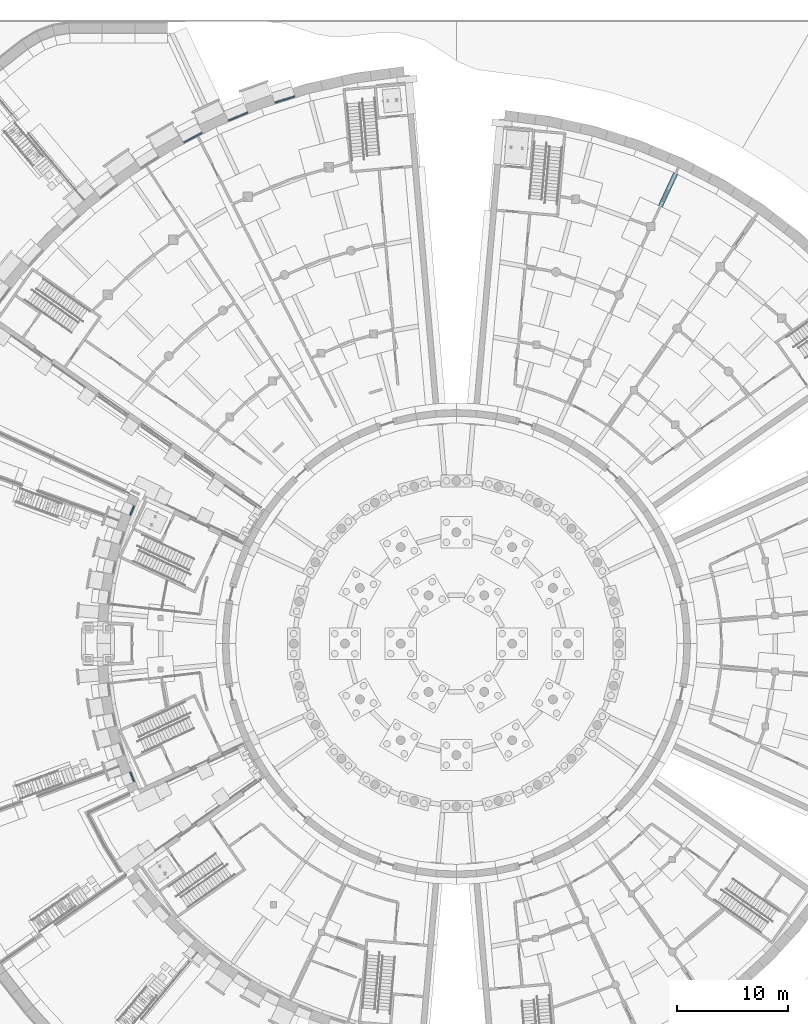
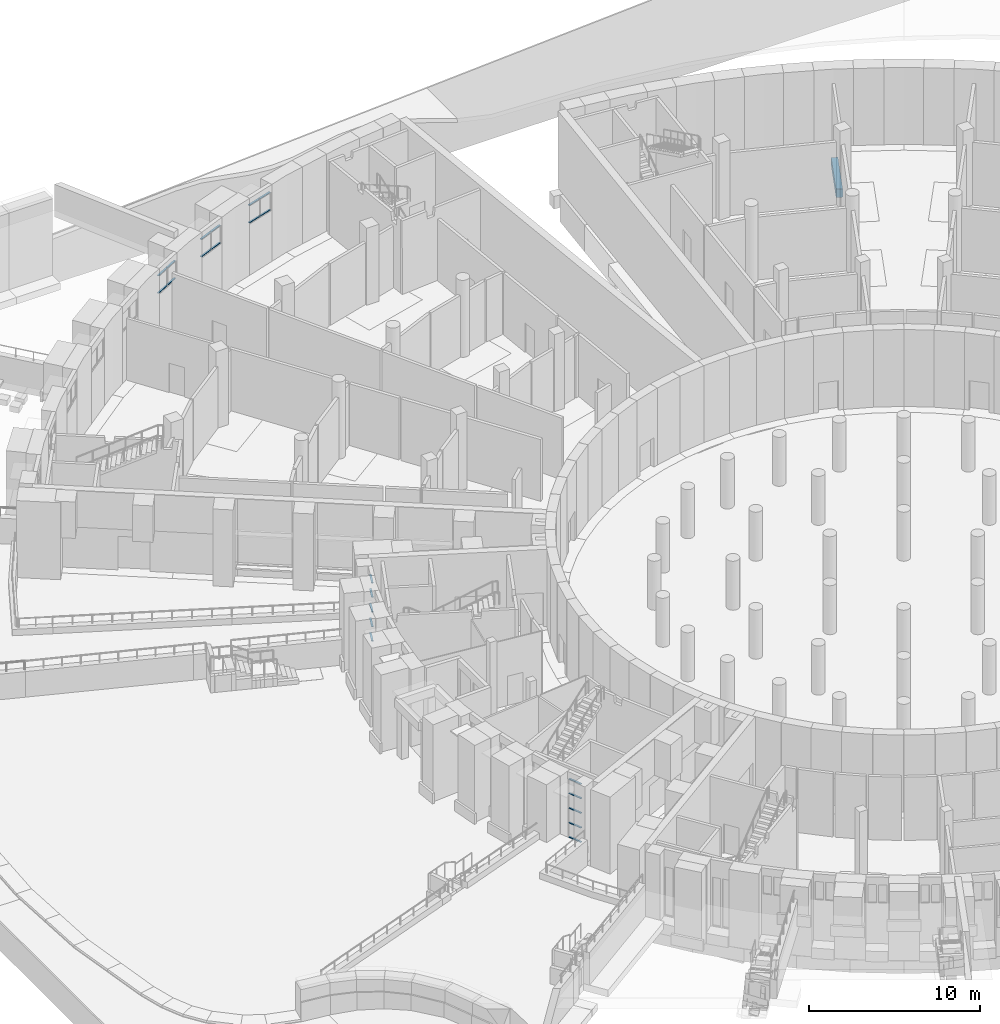
# One storey, part 29 of 65: 22 members, 1 beam, 5 elements without a shape of their own.
"""IFC4 building model written with IfcOpenShell, lengths in metres."""

from ifc_helpers import new_model, si_unit, direction, frame, origin, origin_2d, place, context, subcontext, project, spatial, rectangle, extrude, material, layer, layer_set, material_profile, profile_set, type_object, element, aggregate, save


model = new_model("IFC4")

# Units and contexts
model_context = context("Model", 3, precision=1e-05, world=origin(), true_north=direction((0.0, 1.0)))
body_context = subcontext(model_context, "Body", "Model", "MODEL_VIEW")
ifc_project = project(units=[si_unit("LENGTHUNIT", "METRE"), si_unit("AREAUNIT", "SQUARE_METRE"), si_unit("VOLUMEUNIT", "CUBIC_METRE"), si_unit("PLANEANGLEUNIT", "RADIAN"), si_unit("MASSUNIT", "GRAM", prefix="KILO")], contexts=[model_context])

# Site, building, storey
site_placement = place(None, origin())
site = spatial("IfcSite", under=ifc_project, at=site_placement, CompositionType="ELEMENT")
building_placement = place(site_placement, origin())
building = spatial("IfcBuilding", under=site, at=building_placement, Name="Volute Hill Aquarium", CompositionType="ELEMENT")
storey_placement = place(building_placement, frame((0.0, 0.0, -5.5)))
storey = spatial("IfcBuildingStorey", under=building, at=storey_placement, Name="L00", CompositionType="ELEMENT", Elevation=-5.5)

# Curtain wall, members
ifc_material_1 = material(Name="Aluminium", Category="aluminium")
ifc_layer_1 = layer(ifc_material_1, 0.25)
ifc_layer_set_1 = layer_set([ifc_layer_1], Name="Curtain wall niche S1 module 993")
curtain_wall_type_1 = type_object("IfcCurtainWallType", Name="Curtain wall niche S1 module 993", PredefinedType="NOTDEFINED", material=ifc_layer_set_1)
curtain_wall_1_placement = place(storey_placement, origin())
curtain_wall_1 = element("IfcCurtainWall", 1, at=curtain_wall_1_placement, inside=storey, type_object=curtain_wall_type_1, Name="Curtain wall CW S1 L00 1", PredefinedType="NOTDEFINED")
ifc_material_2 = material(Name="Aluminium", Category="aluminium")
ifc_material_profile_1 = material_profile(ifc_material_2, rectangle(XDim=0.1201171875, YDim=0.050048828125, at=origin_2d()), Name="Curtain wall transom S1 50x120")
ifc_profile_set_1 = profile_set([ifc_material_profile_1], Name="Aluminium")
member_type_1 = type_object("IfcMemberType", Name="Curtain wall transom S1 50x120", PredefinedType="USERDEFINED", material=ifc_profile_set_1)
member_1_placement = place(storey_placement, frame((-28.918701171875, 12.353271484375, 0.77490234375), z_axis=(-0.382633610127, -0.923900167984, 0.0), x_axis=(0.923900167984, -0.382633610127, 0.0)))
member_1 = element("IfcMember", 2, at=member_1_placement, type_object=member_type_1, Name="CW transom 1.1", ObjectType="TRANSOM", PredefinedType="USERDEFINED", context=body_context, shape_type="SweptSolid", body=[
    extrude(rectangle(XDim=0.1201171875, YDim=0.050048828125, at=origin_2d()), origin(), (0.0, 0.0, 1.0), 0.892578125),
])
member_2_placement = place(storey_placement, frame((-28.918701171875, 12.353271484375, 1.800048828125), z_axis=(-0.382633610127, -0.923900167984, 0.0), x_axis=(0.923900167984, -0.382633610127, 0.0)))
member_2 = element("IfcMember", 3, at=member_2_placement, type_object=member_type_1, Name="CW transom 1.2", ObjectType="TRANSOM", PredefinedType="USERDEFINED", context=body_context, shape_type="SweptSolid", body=[
    extrude(rectangle(XDim=0.1201171875, YDim=0.050048828125, at=origin_2d()), origin(), (0.0, 0.0, 1.0), 0.892578125),
])
member_3_placement = place(storey_placement, frame((-28.918701171875, 12.353271484375, 2.85009765625), z_axis=(-0.382633610127, -0.923900167984, 0.0), x_axis=(0.923900167984, -0.382633610127, 0.0)))
member_3 = element("IfcMember", 4, at=member_3_placement, type_object=member_type_1, Name="CW transom 1.3", ObjectType="TRANSOM", PredefinedType="USERDEFINED", context=body_context, shape_type="SweptSolid", body=[
    extrude(rectangle(XDim=0.1201171875, YDim=0.050048828125, at=origin_2d()), origin(), (0.0, 0.0, 1.0), 0.892578125),
])
member_4_placement = place(storey_placement, frame((-28.918701171875, 12.353271484375, 3.89990234375), z_axis=(-0.382633610127, -0.923900167984, 0.0), x_axis=(0.923900167984, -0.382633610127, 0.0)))
member_4 = element("IfcMember", 5, at=member_4_placement, type_object=member_type_1, Name="CW transom 1.4", ObjectType="TRANSOM", PredefinedType="USERDEFINED", context=body_context, shape_type="SweptSolid", body=[
    extrude(rectangle(XDim=0.1201171875, YDim=0.050048828125, at=origin_2d()), origin(), (0.0, 0.0, 1.0), 0.892578125),
])
member_5_placement = place(storey_placement, frame((-28.918701171875, 12.353271484375, 4.925048828125), z_axis=(-0.382633610127, -0.923900167984, 0.0), x_axis=(0.923900167984, -0.382633610127, 0.0)))
member_5 = element("IfcMember", 6, at=member_5_placement, type_object=member_type_1, Name="CW transom 1.5", ObjectType="TRANSOM", PredefinedType="USERDEFINED", context=body_context, shape_type="SweptSolid", body=[
    extrude(rectangle(XDim=0.1201171875, YDim=0.050048828125, at=origin_2d()), origin(), (0.0, 0.0, 1.0), 0.892578125),
])
aggregate(curtain_wall_1, [member_1, member_2, member_3, member_4, member_5])

curtain_wall_2_placement = place(storey_placement, origin())
curtain_wall_2 = element("IfcCurtainWall", 7, at=curtain_wall_2_placement, inside=storey, type_object=curtain_wall_type_1, Name="Curtain wall CW S1 L00 10", PredefinedType="NOTDEFINED")
member_6_placement = place(storey_placement, frame((-29.26025390625, -11.528564453125, 0.77490234375), z_axis=(0.382633610127, -0.923900167984, 0.0), x_axis=(0.923900167984, 0.382633610127, 0.0)))
member_6 = element("IfcMember", 8, at=member_6_placement, type_object=member_type_1, Name="CW transom 1.1", ObjectType="TRANSOM", PredefinedType="USERDEFINED", context=body_context, shape_type="SweptSolid", body=[
    extrude(rectangle(XDim=0.1201171875, YDim=0.050048828125, at=origin_2d()), origin(), (0.0, 0.0, 1.0), 0.892578125),
])
member_7_placement = place(storey_placement, frame((-29.26025390625, -11.528564453125, 1.800048828125), z_axis=(0.382633610127, -0.923900167984, 0.0), x_axis=(0.923900167984, 0.382633610127, 0.0)))
member_7 = element("IfcMember", 9, at=member_7_placement, type_object=member_type_1, Name="CW transom 1.2", ObjectType="TRANSOM", PredefinedType="USERDEFINED", context=body_context, shape_type="SweptSolid", body=[
    extrude(rectangle(XDim=0.1201171875, YDim=0.050048828125, at=origin_2d()), origin(), (0.0, 0.0, 1.0), 0.892578125),
])
member_8_placement = place(storey_placement, frame((-29.26025390625, -11.528564453125, 2.85009765625), z_axis=(0.382633610127, -0.923900167984, 0.0), x_axis=(0.923900167984, 0.382633610127, 0.0)))
member_8 = element("IfcMember", 10, at=member_8_placement, type_object=member_type_1, Name="CW transom 1.3", ObjectType="TRANSOM", PredefinedType="USERDEFINED", context=body_context, shape_type="SweptSolid", body=[
    extrude(rectangle(XDim=0.1201171875, YDim=0.050048828125, at=origin_2d()), origin(), (0.0, 0.0, 1.0), 0.892578125),
])
member_9_placement = place(storey_placement, frame((-29.26025390625, -11.528564453125, 3.89990234375), z_axis=(0.382633610127, -0.923900167984, 0.0), x_axis=(0.923900167984, 0.382633610127, 0.0)))
member_9 = element("IfcMember", 11, at=member_9_placement, type_object=member_type_1, Name="CW transom 1.4", ObjectType="TRANSOM", PredefinedType="USERDEFINED", context=body_context, shape_type="SweptSolid", body=[
    extrude(rectangle(XDim=0.1201171875, YDim=0.050048828125, at=origin_2d()), origin(), (0.0, 0.0, 1.0), 0.892578125),
])
member_10_placement = place(storey_placement, frame((-29.26025390625, -11.528564453125, 4.925048828125), z_axis=(0.382633610127, -0.923900167984, 0.0), x_axis=(0.923900167984, 0.382633610127, 0.0)))
member_10 = element("IfcMember", 12, at=member_10_placement, type_object=member_type_1, Name="CW transom 1.5", ObjectType="TRANSOM", PredefinedType="USERDEFINED", context=body_context, shape_type="SweptSolid", body=[
    extrude(rectangle(XDim=0.1201171875, YDim=0.050048828125, at=origin_2d()), origin(), (0.0, 0.0, 1.0), 0.892578125),
])
aggregate(curtain_wall_2, [member_6, member_7, member_8, member_9, member_10])

ifc_material_3 = material(Name="Aluminium", Category="aluminium")
ifc_layer_2 = layer(ifc_material_3, 0.25)
ifc_layer_set_2 = layer_set([ifc_layer_2], Name="Curtain wall niche S6 module 967")
curtain_wall_type_2 = type_object("IfcCurtainWallType", Name="Curtain wall niche S6 module 967", PredefinedType="NOTDEFINED", material=ifc_layer_set_2)
curtain_wall_3_placement = place(storey_placement, origin())
curtain_wall_3 = element("IfcCurtainWall", 13, at=curtain_wall_3_placement, inside=storey, type_object=curtain_wall_type_2, Name="Curtain wall CW S6 L00 3", PredefinedType="NOTDEFINED")
ifc_material_4 = material(Name="Aluminium", Category="aluminium")
ifc_material_profile_2 = material_profile(ifc_material_4, rectangle(XDim=0.1201171875, YDim=0.050048828125, at=origin_2d()), Name="Curtain wall transom S6 50x120")
ifc_profile_set_2 = profile_set([ifc_material_profile_2], Name="Aluminium")
member_type_2 = type_object("IfcMemberType", Name="Curtain wall transom S6 50x120", PredefinedType="USERDEFINED", material=ifc_profile_set_2)
member_11_placement = place(storey_placement, frame((-14.514404296875, 49.0830078125, 3.675048828125), z_axis=(-0.953756274166, -0.30058105311, 0.0), x_axis=(0.30058105311, -0.953756274166, 0.0)))
member_11 = element("IfcMember", 14, at=member_11_placement, type_object=member_type_2, Name="CW transom 1.1", ObjectType="TRANSOM", PredefinedType="USERDEFINED", context=body_context, shape_type="SweptSolid", body=[
    extrude(rectangle(XDim=0.1201171875, YDim=0.050048828125, at=origin_2d()), origin(), (0.0, 0.0, 1.0), 0.891845703125),
])
member_12_placement = place(storey_placement, frame((-14.514404296875, 49.0830078125, 4.925048828125), z_axis=(-0.953756274166, -0.30058105311, 0.0), x_axis=(0.30058105311, -0.953756274166, 0.0)))
member_12 = element("IfcMember", 15, at=member_12_placement, type_object=member_type_2, Name="CW transom 1.2", ObjectType="TRANSOM", PredefinedType="USERDEFINED", context=body_context, shape_type="SweptSolid", body=[
    extrude(rectangle(XDim=0.1201171875, YDim=0.050048828125, at=origin_2d()), origin(), (0.0, 0.0, 1.0), 0.891845703125),
])
member_13_placement = place(storey_placement, frame((-15.412841796875, 48.7998046875, 3.675048828125), z_axis=(-0.953756274166, -0.30058105311, 0.0), x_axis=(0.30058105311, -0.953756274166, 0.0)))
member_13 = element("IfcMember", 16, at=member_13_placement, type_object=member_type_2, Name="CW transom 2.1", ObjectType="TRANSOM", PredefinedType="USERDEFINED", context=body_context, shape_type="SweptSolid", body=[
    extrude(rectangle(XDim=0.1201171875, YDim=0.050048828125, at=origin_2d()), origin(), (0.0, 0.0, 1.0), 0.891845703125),
])
member_14_placement = place(storey_placement, frame((-15.412841796875, 48.7998046875, 4.925048828125), z_axis=(-0.953756274166, -0.30058105311, 0.0), x_axis=(0.30058105311, -0.953756274166, 0.0)))
member_14 = element("IfcMember", 17, at=member_14_placement, type_object=member_type_2, Name="CW transom 2.2", ObjectType="TRANSOM", PredefinedType="USERDEFINED", context=body_context, shape_type="SweptSolid", body=[
    extrude(rectangle(XDim=0.1201171875, YDim=0.050048828125, at=origin_2d()), origin(), (0.0, 0.0, 1.0), 0.891845703125),
])
aggregate(curtain_wall_3, [member_11, member_12, member_13, member_14])

curtain_wall_4_placement = place(storey_placement, origin())
curtain_wall_4 = element("IfcCurtainWall", 18, at=curtain_wall_4_placement, inside=storey, type_object=curtain_wall_type_2, Name="Curtain wall CW S6 L00 4", PredefinedType="NOTDEFINED")
member_15_placement = place(storey_placement, frame((-18.737060546875, 47.63134765625, 3.675048828125), z_axis=(-0.923876703835, -0.382690261322, 0.0), x_axis=(0.382690261322, -0.923876703835, 0.0)))
member_15 = element("IfcMember", 19, at=member_15_placement, type_object=member_type_2, Name="CW transom 1.1", ObjectType="TRANSOM", PredefinedType="USERDEFINED", context=body_context, shape_type="SweptSolid", body=[
    extrude(rectangle(XDim=0.1201171875, YDim=0.050048828125, at=origin_2d()), origin(), (0.0, 0.0, 1.0), 0.891845703125),
])
member_16_placement = place(storey_placement, frame((-18.737060546875, 47.63134765625, 4.925048828125), z_axis=(-0.923876703835, -0.382690261322, 0.0), x_axis=(0.382690261322, -0.923876703835, 0.0)))
member_16 = element("IfcMember", 20, at=member_16_placement, type_object=member_type_2, Name="CW transom 1.2", ObjectType="TRANSOM", PredefinedType="USERDEFINED", context=body_context, shape_type="SweptSolid", body=[
    extrude(rectangle(XDim=0.1201171875, YDim=0.050048828125, at=origin_2d()), origin(), (0.0, 0.0, 1.0), 0.891845703125),
])
member_17_placement = place(storey_placement, frame((-19.607177734375, 47.270751953125, 3.675048828125), z_axis=(-0.92391677854, -0.382593500118, 0.0), x_axis=(0.382593500118, -0.92391677854, 0.0)))
member_17 = element("IfcMember", 21, at=member_17_placement, type_object=member_type_2, Name="CW transom 2.1", ObjectType="TRANSOM", PredefinedType="USERDEFINED", context=body_context, shape_type="SweptSolid", body=[
    extrude(rectangle(XDim=0.1201171875, YDim=0.050048828125, at=origin_2d()), origin(), (0.0, 0.0, 1.0), 0.89208984375),
])
member_18_placement = place(storey_placement, frame((-19.607177734375, 47.270751953125, 4.925048828125), z_axis=(-0.92391677854, -0.382593500118, 0.0), x_axis=(0.382593500118, -0.92391677854, 0.0)))
member_18 = element("IfcMember", 22, at=member_18_placement, type_object=member_type_2, Name="CW transom 2.2", ObjectType="TRANSOM", PredefinedType="USERDEFINED", context=body_context, shape_type="SweptSolid", body=[
    extrude(rectangle(XDim=0.1201171875, YDim=0.050048828125, at=origin_2d()), origin(), (0.0, 0.0, 1.0), 0.89208984375),
])
aggregate(curtain_wall_4, [member_15, member_16, member_17, member_18])

curtain_wall_5_placement = place(storey_placement, origin())
curtain_wall_5 = element("IfcCurtainWall", 23, at=curtain_wall_5_placement, inside=storey, type_object=curtain_wall_type_2, Name="Curtain wall CW S6 L00 5", PredefinedType="NOTDEFINED")
member_19_placement = place(storey_placement, frame((-22.817138671875, 45.81689453125, 3.675048828125), z_axis=(-0.887082281901, -0.461611335582, 0.0), x_axis=(0.461611335582, -0.887082281901, 0.0)))
member_19 = element("IfcMember", 24, at=member_19_placement, type_object=member_type_2, Name="CW transom 1.1", ObjectType="TRANSOM", PredefinedType="USERDEFINED", context=body_context, shape_type="SweptSolid", body=[
    extrude(rectangle(XDim=0.1201171875, YDim=0.050048828125, at=origin_2d()), origin(), (0.0, 0.0, 1.0), 0.8916015625),
])
member_20_placement = place(storey_placement, frame((-22.817138671875, 45.81689453125, 4.925048828125), z_axis=(-0.887082281901, -0.461611335582, 0.0), x_axis=(0.461611335582, -0.887082281901, 0.0)))
member_20 = element("IfcMember", 25, at=member_20_placement, type_object=member_type_2, Name="CW transom 1.2", ObjectType="TRANSOM", PredefinedType="USERDEFINED", context=body_context, shape_type="SweptSolid", body=[
    extrude(rectangle(XDim=0.1201171875, YDim=0.050048828125, at=origin_2d()), origin(), (0.0, 0.0, 1.0), 0.8916015625),
])
member_21_placement = place(storey_placement, frame((-23.652587890625, 45.382080078125, 3.675048828125), z_axis=(-0.886970156065, -0.46182674484, 0.0), x_axis=(0.46182674484, -0.886970156065, 0.0)))
member_21 = element("IfcMember", 26, at=member_21_placement, type_object=member_type_2, Name="CW transom 2.1", ObjectType="TRANSOM", PredefinedType="USERDEFINED", context=body_context, shape_type="SweptSolid", body=[
    extrude(rectangle(XDim=0.1201171875, YDim=0.050048828125, at=origin_2d()), origin(), (0.0, 0.0, 1.0), 0.891845703125),
])
member_22_placement = place(storey_placement, frame((-23.652587890625, 45.382080078125, 4.925048828125), z_axis=(-0.886970156065, -0.46182674484, 0.0), x_axis=(0.46182674484, -0.886970156065, 0.0)))
member_22 = element("IfcMember", 27, at=member_22_placement, type_object=member_type_2, Name="CW transom 2.2", ObjectType="TRANSOM", PredefinedType="USERDEFINED", context=body_context, shape_type="SweptSolid", body=[
    extrude(rectangle(XDim=0.1201171875, YDim=0.050048828125, at=origin_2d()), origin(), (0.0, 0.0, 1.0), 0.891845703125),
])
aggregate(curtain_wall_5, [member_19, member_20, member_21, member_22])

# Beam
ifc_material_5 = material(Name="Concrete C30/37", Category="concrete")
ifc_material_profile_3 = material_profile(ifc_material_5, rectangle(XDim=0.39990234375, YDim=0.60009765625, at=origin_2d()), Name="RC tie beam 400x600")
ifc_profile_set_3 = profile_set([ifc_material_profile_3], Name="Concrete C30/37")
beam_type = type_object("IfcBeamType", Name="Tie beam 400x600 C30/37", PredefinedType="BEAM", material=ifc_profile_set_3)
beam_placement = place(storey_placement, frame((18.2978515625, 39.239990234375, -0.679931640625), z_axis=(0.422667124467, 0.90628500037, 0.0), x_axis=(-0.90628500037, 0.422667124467, 0.0)))
element("IfcBeam", 28, at=beam_placement, inside=storey, type_object=beam_type, Name="tb/S5/L00/74", PredefinedType="BEAM", context=body_context, shape_type="SweptSolid", body=[
    extrude(rectangle(XDim=0.39990234375, YDim=0.60009765625, at=origin_2d()), origin(), (0.0, 0.0, 1.0), 3.244384765625),
])

save(model, "model.ifc")
